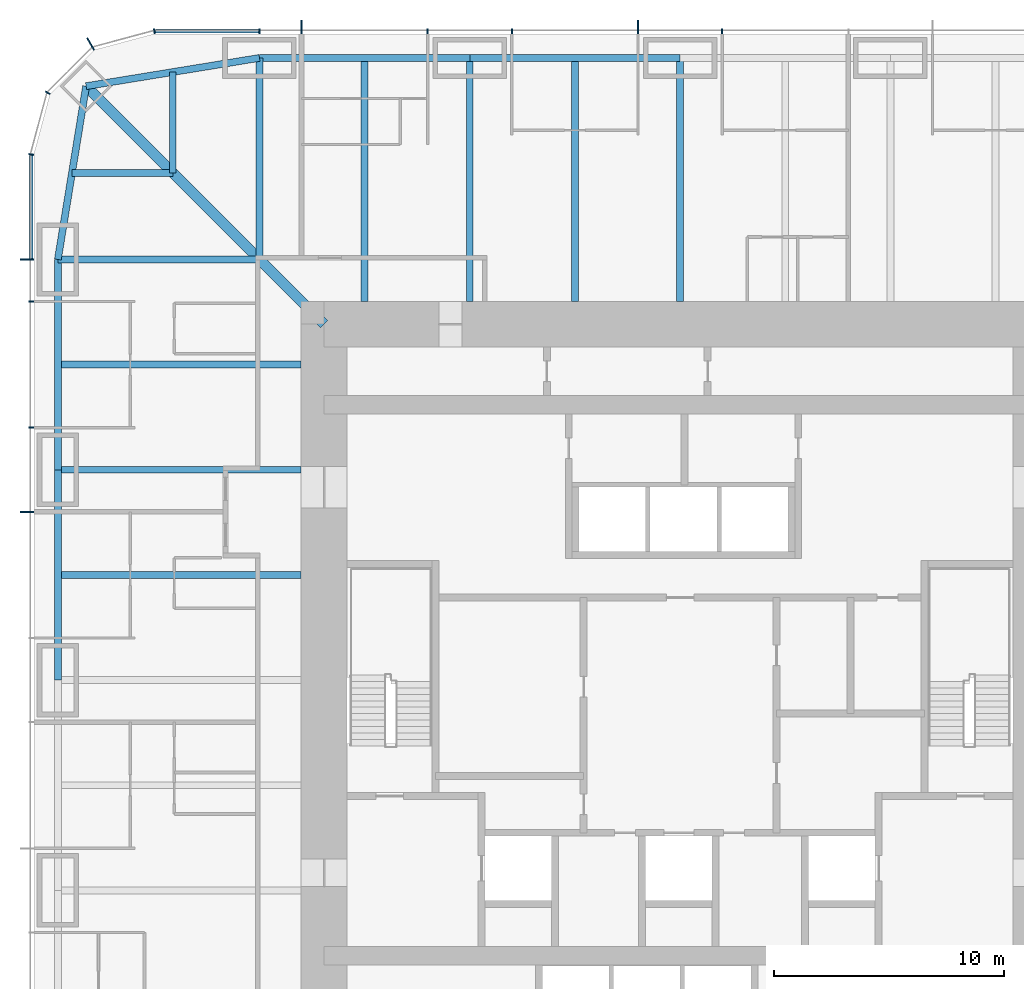
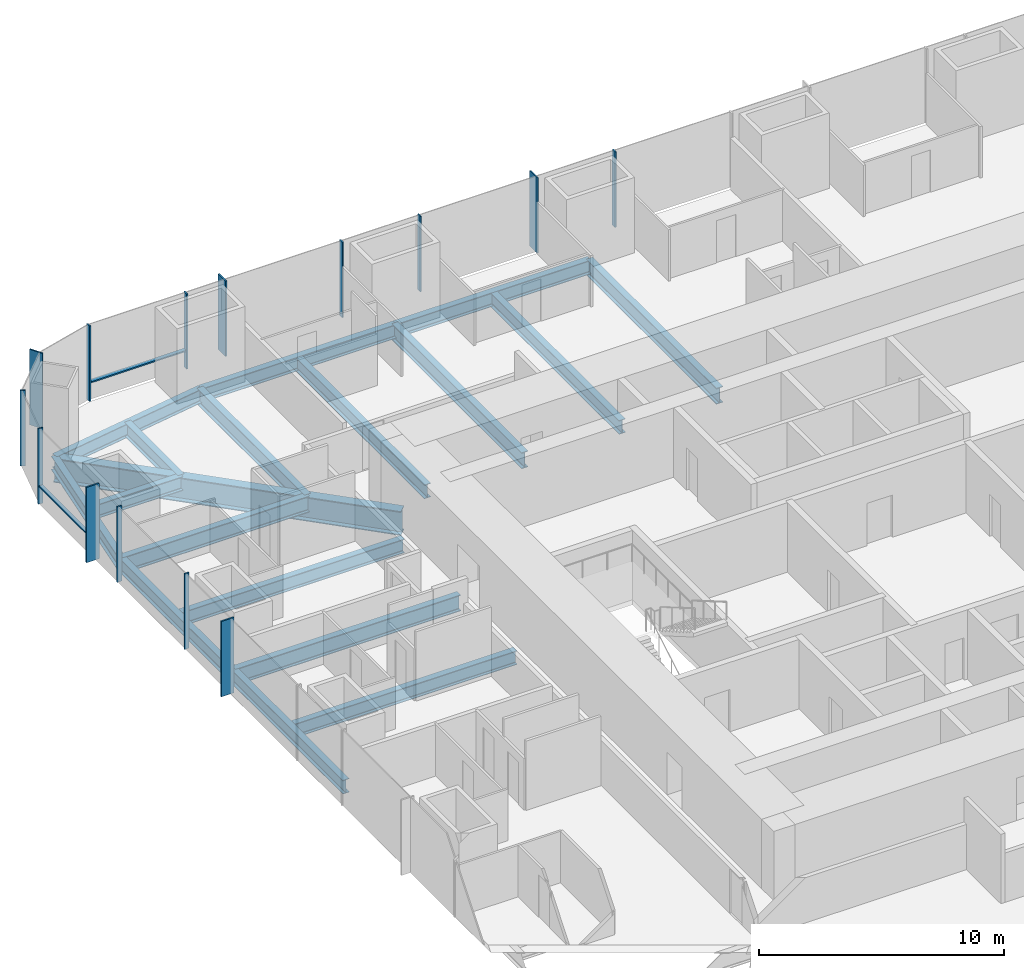
# One storey, part 4 of 12: 18 beams, 16 members, 3 elements without a shape of their own.
"""IFC4 building model written with IfcOpenShell, lengths in metres."""

import ifcopenshell
import ifcopenshell.guid

model = None  # the IFC model being written
_history = None  # IfcOwnerHistory: only IFC2X3 demands one
_inside = {}  # id of a spatial element -> (the spatial element, [elements in it])
_under = {}  # id of a project, library or spatial element -> (it, [spatial elements below it])
_declared = {}  # id of a project -> (the project, [libraries it declares])
_typed = {}  # id of a type object -> (the type object, [elements of that type])
_made_of = {}  # id of a material, layer set ... -> (it, [elements and type objects made of it])


def new_model(schema):
    """Start an empty IFC model of exactly this schema.

    Asked for "IFC4X3", IfcOpenShell would pick the latest addendum, in which some entities
    have other attributes; the version numbers below select the first issue.
    IFC2X3 requires an IfcOwnerHistory on every rooted entity: one is made here for all.
    """
    global model, _history
    if schema == "IFC4X3":
        model = ifcopenshell.file(schema_version=(4, 3, 0, 0))
    else:
        model = ifcopenshell.file(schema=schema)
    _inside.clear()
    _under.clear()
    _declared.clear()
    _typed.clear()
    _made_of.clear()
    _history = None
    if model.schema == "IFC2X3":
        org = make("IfcOrganization", Name="unknown")
        user = make(
            "IfcPersonAndOrganization",
            ThePerson=make("IfcPerson", FamilyName="unknown"),
            TheOrganization=org,
        )
        app = make(
            "IfcApplication",
            ApplicationDeveloper=org,
            Version="unknown",
            ApplicationFullName="unknown",
            ApplicationIdentifier="unknown",
        )
        _history = make(
            "IfcOwnerHistory",
            OwningUser=user,
            OwningApplication=app,
            ChangeAction="ADDED",
            CreationDate=0,
        )
    return model


def make(cls, **values):
    """One entity of the class cls with the attributes given. An attribute that is None is left unset."""
    return model.create_entity(
        cls, **{name: value for name, value in values.items() if value is not None}
    )


def rooted(cls, **values):
    """An entity with a GlobalId (a new one), such as an element, a storey or a relation."""
    return make(cls, GlobalId=ifcopenshell.guid.new(), OwnerHistory=_history, **values)


def si_unit(unit_type, name, prefix=None):
    """IfcSIUnit, for example si_unit("LENGTHUNIT", "METRE", prefix="MILLI")."""
    return make("IfcSIUnit", UnitType=unit_type, Prefix=prefix, Name=name)


def assignment(units):
    """IfcUnitAssignment: the units of a project."""
    return None if units is None else make("IfcUnitAssignment", Units=units)


def point(xyz):
    """IfcCartesianPoint."""
    return None if xyz is None else make("IfcCartesianPoint", Coordinates=xyz)


def direction(xyz):
    """IfcDirection."""
    return None if xyz is None else make("IfcDirection", DirectionRatios=xyz)


def frame(location, z_axis=None, x_axis=None):
    """IfcAxis2Placement3D, a coordinate frame: its origin and axes. An axis left out is left unset."""
    return make(
        "IfcAxis2Placement3D",
        Location=point(location),
        Axis=direction(z_axis),
        RefDirection=direction(x_axis),
    )


def frame_2d(location, x_axis=None):
    """IfcAxis2Placement2D, a coordinate frame in the plane: its origin and x axis."""
    return make(
        "IfcAxis2Placement2D", Location=point(location), RefDirection=direction(x_axis)
    )


def origin():
    """The frame at (0, 0, 0) with its axes left unset."""
    return frame((0.0, 0.0, 0.0))


def origin_2d():
    """The frame at (0, 0) in the plane with its x axis left unset."""
    return frame_2d((0.0, 0.0))


def place(relative_to, where):
    """IfcLocalPlacement: puts the frame where relative to a parent placement (None: the world)."""
    return make(
        "IfcLocalPlacement", PlacementRelTo=relative_to, RelativePlacement=where
    )


def context(
    kind, dimensions, precision=None, world=None, true_north=None, identifier=None
):
    """IfcGeometricRepresentationContext, for example the 3D "Model" context."""
    return make(
        "IfcGeometricRepresentationContext",
        ContextIdentifier=identifier,
        ContextType=kind,
        CoordinateSpaceDimension=dimensions,
        Precision=precision,
        WorldCoordinateSystem=world,
        TrueNorth=true_north,
    )


def subcontext(parent, identifier, kind, view, scale=None):
    """IfcGeometricRepresentationSubContext, for example "Body" below "Model"."""
    return make(
        "IfcGeometricRepresentationSubContext",
        ContextIdentifier=identifier,
        ContextType=kind,
        ParentContext=parent,
        TargetScale=scale,
        TargetView=view,
    )


def project(units=None, contexts=None):
    """IfcProject with its units and contexts."""
    return rooted(
        "IfcProject",
        Name="project",
        RepresentationContexts=contexts,
        UnitsInContext=assignment(units),
    )


def spatial(cls, under=None, at=None, **own):
    """A site, building, storey or space (cls), placed at a placement, below another one or the project."""
    s = rooted(cls, ObjectPlacement=at, **own)
    if under is not None:
        _under.setdefault(under.id(), (under, []))[1].append(s)
    return s


def profile(cls, at=None, kind="AREA", **sizes):
    """A parametric profile (cls). Its sizes go by their IFC names, for example OverallWidth=200.0."""
    return make(cls, ProfileType=kind, Position=at, **sizes)


def rectangle(**sizes):
    """IfcRectangleProfileDef."""
    return profile("IfcRectangleProfileDef", **sizes)


def i_section(**sizes):
    """IfcIShapeProfileDef."""
    return profile("IfcIShapeProfileDef", **sizes)


def extrude(swept, where, along, depth):
    """IfcExtrudedAreaSolid: the profile swept, set in the frame where, extruded along a direction by depth."""
    return make(
        "IfcExtrudedAreaSolid",
        SweptArea=swept,
        Position=where,
        ExtrudedDirection=direction(along),
        Depth=depth,
    )


def shape(context_of_items, identifier, shape_type, items):
    """IfcShapeRepresentation: the items that make up one representation, for example the "Body"."""
    return make(
        "IfcShapeRepresentation",
        ContextOfItems=context_of_items,
        RepresentationIdentifier=identifier,
        RepresentationType=shape_type,
        Items=items,
    )


def material(Name=None, Category=None):
    """IfcMaterial."""
    return make("IfcMaterial", Name=Name, Category=Category)


def material_profile(
    of_material, cross_section, Name=None, Category=None, Priority=None
):
    """IfcMaterialProfile: a cross section and its material."""
    return make(
        "IfcMaterialProfile",
        Name=Name,
        Material=of_material,
        Profile=cross_section,
        Priority=Priority,
        Category=Category,
    )


def profile_set(profiles, Name=None, composite=None):
    """IfcMaterialProfileSet."""
    return make(
        "IfcMaterialProfileSet",
        Name=Name,
        MaterialProfiles=profiles,
        CompositeProfile=composite,
    )


def made_of(thing, what):
    """Note that an element or type object is made of a material, layer set ...; save() writes the relation."""
    if what is not None:
        _made_of.setdefault(what.id(), (what, []))[1].append(thing)
    return thing


def type_object(cls, material=None, **own):
    """A type object (cls), such as IfcWallType, which elements share."""
    return made_of(rooted(cls, **own), material)


def element(
    cls,
    number,
    at=None,
    inside=None,
    cuts=None,
    type_object=None,
    material=None,
    context=None,
    identifier="Body",
    shape_type=None,
    held_by="IfcProductDefinitionShape",
    body=None,
    shapes=None,
    **own,
):
    """One element of the class cls, such as IfcWall. Its Tag is "e" and its number.

    at: its placement. inside: the storey or other place that contains it. cuts: it is an
    opening in that element (IfcRelVoidsElement). A single representation is given by context,
    identifier, shape_type and body (its items); several are given by shapes. held_by: the class
    of the entity that holds the representations. save() writes the other relations.
    """
    e = rooted(cls, Tag="e%d" % number, ObjectPlacement=at, **own)
    if body is not None:
        shapes = [shape(context, identifier, shape_type, body)]
    if shapes is not None:
        e.Representation = make(held_by, Representations=shapes)
    if inside is not None:
        _inside.setdefault(inside.id(), (inside, []))[1].append(e)
    if cuts is not None:
        rooted(
            "IfcRelVoidsElement", RelatingBuildingElement=cuts, RelatedOpeningElement=e
        )
    if type_object is not None:
        _typed.setdefault(type_object.id(), (type_object, []))[1].append(e)
    return made_of(e, material)


def aggregate(whole, parts):
    """IfcRelAggregates: a whole, such as a stair, and the parts it consists of."""
    return rooted("IfcRelAggregates", RelatingObject=whole, RelatedObjects=parts)


def save(model, path):
    """Write the relations noted so far, then the file.

    IfcRelAggregates (storeys below a building ...), IfcRelContainedInSpatialStructure (elements
    in a storey), IfcRelDefinesByType, IfcRelAssociatesMaterial and IfcRelDeclares: one each for
    every whole, place, type object, material and project.
    """
    for whole, parts in _under.values():
        aggregate(whole, parts)
    for where, things in _inside.values():
        rooted(
            "IfcRelContainedInSpatialStructure",
            RelatedElements=things,
            RelatingStructure=where,
        )
    for kind, things in _typed.values():
        rooted("IfcRelDefinesByType", RelatedObjects=things, RelatingType=kind)
    for what, things in _made_of.values():
        rooted("IfcRelAssociatesMaterial", RelatedObjects=things, RelatingMaterial=what)
    for by, libraries in _declared.values():
        rooted("IfcRelDeclares", RelatingContext=by, RelatedDefinitions=libraries)
    model.write(path)


model = new_model("IFC4")

# Units and contexts
model_context = context("Model", 3, precision=1e-05, world=origin(), true_north=direction((0.0, 1.0)))
body_context = subcontext(model_context, "Body", "Model", "MODEL_VIEW")
ifc_project = project(units=[si_unit("LENGTHUNIT", "METRE"), si_unit("AREAUNIT", "SQUARE_METRE"), si_unit("VOLUMEUNIT", "CUBIC_METRE"), si_unit("PLANEANGLEUNIT", "RADIAN"), si_unit("MASSUNIT", "GRAM", prefix="KILO")], contexts=[model_context])

# Site, building, storey
site_placement = place(None, origin())
site = spatial("IfcSite", under=ifc_project, at=site_placement, CompositionType="ELEMENT")
building_placement = place(site_placement, origin())
building = spatial("IfcBuilding", under=site, at=building_placement, Name="Khuree Lantern Residences", CompositionType="ELEMENT")
storey_placement = place(building_placement, frame((0.0, 0.0, 182.25)))
storey = spatial("IfcBuildingStorey", under=building, at=storey_placement, Name="L46", CompositionType="ELEMENT", Elevation=182.25)

# Beams
ifc_material_1 = material(Name="Steel S355", Category="steel")
ifc_material_profile_1 = material_profile(ifc_material_1, i_section(OverallWidth=0.300048828125, OverallDepth=0.68994140625, WebThickness=0.014404296875, FlangeThickness=0.027099609375, FilletRadius=0.027099609375, at=origin_2d()), Name="HE 700 A")
ifc_profile_set_1 = profile_set([ifc_material_profile_1], Name="Steel S355")
beam_type_1 = type_object("IfcBeamType", Name="B-25A SECONDARY BEAM HE 700 A", PredefinedType="BEAM", material=ifc_profile_set_1)
for number, where, z_axis, x_axis, name in (
    (1, (-13.739990234375, 27.10009765625, -0.594970703125), (0.0, -1.0, 0.0), (1.0, 0.0, 0.0), "Secondary beam N1"),
    (2, (-4.580078125, 27.10009765625, -0.594970703125), (0.0, -1.0, 0.0), (1.0, 0.0, 0.0), "Secondary beam N2"),
    (3, (-27.10009765625, 4.580078125, -0.594970703125), (1.0, 0.0, 0.0), (0.0, 1.0, 0.0), "Secondary beam W4"),
    (4, (-27.10009765625, 13.739990234375, -0.594970703125), (1.0, 0.0, 0.0), (0.0, 1.0, 0.0), "Secondary beam W5"),
):
    element("IfcBeam", number, at=place(storey_placement, frame(where, z_axis=z_axis, x_axis=x_axis)), inside=storey, type_object=beam_type_1, Name=name, PredefinedType="BEAM", context=body_context, shape_type="SweptSolid", body=[
        extrude(i_section(OverallWidth=0.300048828125, OverallDepth=0.68994140625, WebThickness=0.014404296875, FlangeThickness=0.027099609375, FilletRadius=0.027099609375, at=origin_2d()), origin(), (0.0, 0.0, 1.0), 10.60009765625),
    ])
for number, where, z_axis, x_axis, name in (
    (5, (-26.48486328125, 22.094970703125, -0.594970703125), (1.0, 0.0, 0.0), (0.0, 1.0, 0.0), "Secondary beam W6"),
    (6, (-22.094970703125, 26.48486328125, -0.594970703125), (0.0, -1.0, 0.0), (1.0, 0.0, 0.0), "Secondary beam N6"),
):
    element("IfcBeam", number, at=place(storey_placement, frame(where, z_axis=z_axis, x_axis=x_axis)), inside=storey, type_object=beam_type_1, Name=name, PredefinedType="BEAM", context=body_context, shape_type="SweptSolid", body=[
        extrude(i_section(OverallWidth=0.300048828125, OverallDepth=0.68994140625, WebThickness=0.014404296875, FlangeThickness=0.027099609375, FilletRadius=0.027099609375, at=origin_2d()), origin(), (0.0, 0.0, 1.0), 4.389892578125),
    ])
ifc_material_profile_2 = material_profile(ifc_material_1, i_section(OverallWidth=0.300048828125, OverallDepth=0.68994140625, WebThickness=0.014404296875, FlangeThickness=0.027099609375, FilletRadius=0.027099609375, at=origin_2d()), Name="HE 700 A")
ifc_profile_set_2 = profile_set([ifc_material_profile_2], Name="Steel S355")
beam_type_2 = type_object("IfcBeamType", Name="E-25 SPANDREL BEAM HE 700 A", PredefinedType="SPANDREL", material=ifc_profile_set_2)
beam_1_placement = place(storey_placement, frame((-18.320068359375, 27.10009765625, -0.594970703125), z_axis=(1.0, 0.0, 0.0), x_axis=(0.0, 1.0, 0.0)))
element("IfcBeam", 7, at=beam_1_placement, inside=storey, type_object=beam_type_2, Name="Spandrel beam N1", PredefinedType="SPANDREL", context=body_context, shape_type="SweptSolid", body=[
    extrude(i_section(OverallWidth=0.300048828125, OverallDepth=0.68994140625, WebThickness=0.014404296875, FlangeThickness=0.027099609375, FilletRadius=0.027099609375, at=origin_2d()), origin(), (0.0, 0.0, 1.0), 9.16015625),
])
for number, where, z_axis, x_axis, name in (
    (8, (-9.159912109375, 27.10009765625, -0.594970703125), (1.0, 0.0, 0.0), (0.0, 1.0, 0.0), "Spandrel beam N2"),
    (9, (-27.10009765625, 0.0, -0.594970703125), (0.0, 1.0, 0.0), (-1.0, 0.0, 0.0), "Spandrel beam W4"),
):
    element("IfcBeam", number, at=place(storey_placement, frame(where, z_axis=z_axis, x_axis=x_axis)), inside=storey, type_object=beam_type_2, Name=name, PredefinedType="SPANDREL", context=body_context, shape_type="SweptSolid", body=[
        extrude(i_section(OverallWidth=0.300048828125, OverallDepth=0.68994140625, WebThickness=0.014404296875, FlangeThickness=0.027099609375, FilletRadius=0.027099609375, at=origin_2d()), origin(), (0.0, 0.0, 1.0), 9.159912109375),
    ])
beam_2_placement = place(storey_placement, frame((-27.10009765625, 9.159912109375, -0.594970703125), z_axis=(0.0, 1.0, 0.0), x_axis=(-1.0, 0.0, 0.0)))
element("IfcBeam", 10, at=beam_2_placement, inside=storey, type_object=beam_type_2, Name="Spandrel beam W5", PredefinedType="SPANDREL", context=body_context, shape_type="SweptSolid", body=[
    extrude(i_section(OverallWidth=0.300048828125, OverallDepth=0.68994140625, WebThickness=0.014404296875, FlangeThickness=0.027099609375, FilletRadius=0.027099609375, at=origin_2d()), origin(), (0.0, 0.0, 1.0), 9.16015625),
])
for number, where, z_axis, x_axis, name in (
    (11, (-27.10009765625, 18.320068359375, -0.594970703125), (0.160826723833, 0.986982656839, 0.0), (-0.986982656839, 0.160826723833, 0.0), "Spandrel beam W6"),
    (12, (-25.869873046875, 25.869873046875, -0.594970703125), (0.986982656839, 0.160826723833, 0.0), (-0.160826723833, 0.986982656839, 0.0), "Spandrel beam N6"),
):
    element("IfcBeam", number, at=place(storey_placement, frame(where, z_axis=z_axis, x_axis=x_axis)), inside=storey, type_object=beam_type_2, Name=name, PredefinedType="SPANDREL", context=body_context, shape_type="SweptSolid", body=[
        extrude(i_section(OverallWidth=0.300048828125, OverallDepth=0.68994140625, WebThickness=0.014404296875, FlangeThickness=0.027099609375, FilletRadius=0.027099609375, at=origin_2d()), origin(), (0.0, 0.0, 1.0), 7.6494140625),
    ])

# Curtain wall, members
ifc_material_2 = material(Name="Bronze anodised aluminium", Category="aluminium")
curtain_wall_type_1 = type_object("IfcCurtainWallType", Name="CW-T1 TOWER FACE CURTAIN WALL", PredefinedType="USERDEFINED", material=ifc_material_2)
curtain_wall_1_placement = place(storey_placement, origin())
curtain_wall_1 = element("IfcCurtainWall", 13, at=curtain_wall_1_placement, inside=storey, type_object=curtain_wall_type_1, Name="L46 NORTH FACE CURTAIN WALL", ObjectType="Stick-built curtain wall", PredefinedType="USERDEFINED")
ifc_material_profile_3 = material_profile(ifc_material_2, rectangle(XDim=0.06494140625, YDim=0.60009765625, at=origin_2d()), Name="F1 65X600")
ifc_profile_set_3 = profile_set([ifc_material_profile_3], Name="Bronze anodised aluminium")
member_type_1 = type_object("IfcMemberType", Name="F1 BRONZE FIN MULLION TOWER 65X600", PredefinedType="MULLION", material=ifc_profile_set_3)
member_1_placement = place(storey_placement, frame((-1.83203125, 28.449951171875, 0.0), z_axis=(0.0, 0.0, 1.0), x_axis=(-1.0, 0.0, 0.0)))
member_1 = element("IfcMember", 14, at=member_1_placement, type_object=member_type_1, Name="L46 NORTH FACE FIN MULLION 24", PredefinedType="MULLION", context=body_context, shape_type="SweptSolid", body=[
    extrude(rectangle(XDim=0.06494140625, YDim=0.60009765625, at=origin_2d()), origin(), (0.0, 0.0, 1.0), 3.75),
])
member_2_placement = place(storey_placement, frame((-16.488037109375, 28.449951171875, 0.0), z_axis=(0.0, 0.0, 1.0), x_axis=(-1.0, 0.0, 0.0)))
member_2 = element("IfcMember", 15, at=member_2_placement, type_object=member_type_1, Name="L46 NORTH FACE FIN MULLION 27", PredefinedType="MULLION", context=body_context, shape_type="SweptSolid", body=[
    extrude(rectangle(XDim=0.06494140625, YDim=0.60009765625, at=origin_2d()), origin(), (0.0, 0.0, 1.0), 3.75),
])

# Curtain wall, member
curtain_wall_type_2 = type_object("IfcCurtainWallType", Name="CW-T2 TOWER CORNER CURTAIN WALL", PredefinedType="USERDEFINED", material=ifc_material_2)
curtain_wall_2_placement = place(storey_placement, origin())
curtain_wall_2 = element("IfcCurtainWall", 16, at=curtain_wall_2_placement, inside=storey, type_object=curtain_wall_type_2, Name="L46 NORTH-WEST CORNER CURTAIN WALL", ObjectType="Faceted corner curtain wall", PredefinedType="USERDEFINED")
member_3_placement = place(storey_placement, frame((-25.675048828125, 27.70654296875, 0.0), z_axis=(0.0, 0.0, 1.0), x_axis=(-0.866025388199, -0.500000026995, 0.0)))
member_3 = element("IfcMember", 17, at=member_3_placement, type_object=member_type_1, Name="L46 NORTH-WEST CORNER FIN MULLION 30", PredefinedType="MULLION", context=body_context, shape_type="SweptSolid", body=[
    extrude(rectangle(XDim=0.06494140625, YDim=0.60009765625, at=origin_2d()), origin(), (0.0, 0.0, 1.0), 3.75),
])

# Curtain wall, members
curtain_wall_3_placement = place(storey_placement, origin())
curtain_wall_3 = element("IfcCurtainWall", 18, at=curtain_wall_3_placement, inside=storey, type_object=curtain_wall_type_1, Name="L46 WEST FACE CURTAIN WALL", ObjectType="Stick-built curtain wall", PredefinedType="USERDEFINED")
member_4_placement = place(storey_placement, frame((-28.449951171875, 18.320068359375, 0.0), z_axis=(0.0, 0.0, 1.0), x_axis=(0.0, -1.0, 0.0)))
member_4 = element("IfcMember", 19, at=member_4_placement, type_object=member_type_1, Name="L46 WEST FACE FIN MULLION 33", PredefinedType="MULLION", context=body_context, shape_type="SweptSolid", body=[
    extrude(rectangle(XDim=0.06494140625, YDim=0.60009765625, at=origin_2d()), origin(), (0.0, 0.0, 1.0), 3.75),
])
member_5_placement = place(storey_placement, frame((-28.449951171875, 7.327880859375, 0.0), z_axis=(0.0, 0.0, 1.0), x_axis=(0.0, -1.0, 0.0)))
member_5 = element("IfcMember", 20, at=member_5_placement, type_object=member_type_1, Name="L46 WEST FACE FIN MULLION 36", PredefinedType="MULLION", context=body_context, shape_type="SweptSolid", body=[
    extrude(rectangle(XDim=0.06494140625, YDim=0.60009765625, at=origin_2d()), origin(), (0.0, 0.0, 1.0), 3.75),
])

# Beams
ifc_material_profile_4 = material_profile(ifc_material_1, i_section(OverallWidth=0.300048828125, OverallDepth=0.800048828125, WebThickness=0.017578125, FlangeThickness=0.032958984375, FilletRadius=0.030029296875, at=origin_2d()), Name="HE 800 B")
ifc_profile_set_4 = profile_set([ifc_material_profile_4], Name="Steel S355")
beam_type_3 = type_object("IfcBeamType", Name="G-25A GIRDER HE 800 B", PredefinedType="BEAM", material=ifc_profile_set_4)
beam_3_placement = place(storey_placement, frame((-18.320068359375, 27.10009765625, -0.64990234375), z_axis=(0.0, -1.0, 0.0), x_axis=(1.0, 0.0, 0.0)))
element("IfcBeam", 21, at=beam_3_placement, inside=storey, type_object=beam_type_3, Name="Girder N1", PredefinedType="BEAM", context=body_context, shape_type="SweptSolid", body=[
    extrude(i_section(OverallWidth=0.300048828125, OverallDepth=0.800048828125, WebThickness=0.017578125, FlangeThickness=0.032958984375, FilletRadius=0.030029296875, at=origin_2d()), origin(), (0.0, 0.0, 1.0), 8.780029296875),
])
for number, where, z_axis, x_axis, name in (
    (22, (-9.159912109375, 27.10009765625, -0.64990234375), (0.0, -1.0, 0.0), (1.0, 0.0, 0.0), "Girder N2"),
    (23, (0.0, 27.10009765625, -0.64990234375), (0.0, -1.0, 0.0), (1.0, 0.0, 0.0), "Girder N3"),
    (24, (-27.10009765625, 9.159912109375, -0.64990234375), (1.0, 0.0, 0.0), (0.0, 1.0, 0.0), "Girder W4"),
):
    element("IfcBeam", number, at=place(storey_placement, frame(where, z_axis=z_axis, x_axis=x_axis)), inside=storey, type_object=beam_type_3, Name=name, PredefinedType="BEAM", context=body_context, shape_type="SweptSolid", body=[
        extrude(i_section(OverallWidth=0.300048828125, OverallDepth=0.800048828125, WebThickness=0.017578125, FlangeThickness=0.032958984375, FilletRadius=0.030029296875, at=origin_2d()), origin(), (0.0, 0.0, 1.0), 10.60009765625),
    ])
beam_4_placement = place(storey_placement, frame((-27.10009765625, 18.320068359375, -0.64990234375), z_axis=(1.0, 0.0, 0.0), x_axis=(0.0, 1.0, 0.0)))
element("IfcBeam", 25, at=beam_4_placement, inside=storey, type_object=beam_type_3, Name="Girder W5", PredefinedType="BEAM", context=body_context, shape_type="SweptSolid", body=[
    extrude(i_section(OverallWidth=0.300048828125, OverallDepth=0.800048828125, WebThickness=0.017578125, FlangeThickness=0.032958984375, FilletRadius=0.030029296875, at=origin_2d()), origin(), (0.0, 0.0, 1.0), 8.780029296875),
])
ifc_material_profile_5 = material_profile(ifc_material_1, i_section(OverallWidth=0.449951171875, OverallDepth=1.199951171875, WebThickness=0.02490234375, FlangeThickness=0.044921875, at=origin_2d()), Name="WELDED I 1200X450X25X45")
ifc_profile_set_5 = profile_set([ifc_material_profile_5], Name="Steel S355")
beam_type_4 = type_object("IfcBeamType", Name="GD-25 CORNER GIRDER WELDED I 1200X450X25X45", PredefinedType="BEAM", material=ifc_profile_set_5)
beam_5_placement = place(storey_placement, frame((-25.869873046875, 25.869873046875, -0.85009765625), z_axis=(0.707106781187, -0.707106781187, 0.0), x_axis=(0.707106781187, 0.707106781187, 0.0)))
element("IfcBeam", 26, at=beam_5_placement, inside=storey, type_object=beam_type_4, Name="Corner girder NW", PredefinedType="BEAM", context=body_context, shape_type="SweptSolid", body=[
    extrude(i_section(OverallWidth=0.449951171875, OverallDepth=1.199951171875, WebThickness=0.02490234375, FlangeThickness=0.044921875, at=origin_2d()), origin(), (0.0, 0.0, 1.0), 14.665283203125),
])

# Member
ifc_material_profile_6 = material_profile(ifc_material_2, rectangle(XDim=0.06494140625, YDim=0.219970703125, at=origin_2d()), Name="M1 65X220")
ifc_profile_set_6 = profile_set([ifc_material_profile_6], Name="Bronze anodised aluminium")
member_type_2 = type_object("IfcMemberType", Name="M1 BRONZE MULLION TOWER 65X220", PredefinedType="MULLION", material=ifc_profile_set_6)
member_6_placement = place(storey_placement, frame((1.83203125, 28.260009765625, 0.0), z_axis=(0.0, 0.0, 1.0), x_axis=(-1.0, 0.0, 0.0)))
member_6 = element("IfcMember", 27, at=member_6_placement, type_object=member_type_2, Name="L46 NORTH FACE MULLION 23", PredefinedType="MULLION", context=body_context, shape_type="SweptSolid", body=[
    extrude(rectangle(XDim=0.06494140625, YDim=0.219970703125, at=origin_2d()), origin(), (0.0, 0.0, 1.0), 3.75),
])

member_7_placement = place(storey_placement, frame((-7.327880859375, 28.260009765625, 0.0), z_axis=(0.0, 0.0, 1.0), x_axis=(-1.0, 0.0, 0.0)))
member_7 = element("IfcMember", 28, at=member_7_placement, type_object=member_type_2, Name="L46 NORTH FACE MULLION 25", PredefinedType="MULLION", context=body_context, shape_type="SweptSolid", body=[
    extrude(rectangle(XDim=0.06494140625, YDim=0.219970703125, at=origin_2d()), origin(), (0.0, 0.0, 1.0), 3.75),
])

member_8_placement = place(storey_placement, frame((-10.991943359375, 28.260009765625, 0.0), z_axis=(0.0, 0.0, 1.0), x_axis=(-1.0, 0.0, 0.0)))
member_8 = element("IfcMember", 29, at=member_8_placement, type_object=member_type_2, Name="L46 NORTH FACE MULLION 26", PredefinedType="MULLION", context=body_context, shape_type="SweptSolid", body=[
    extrude(rectangle(XDim=0.06494140625, YDim=0.219970703125, at=origin_2d()), origin(), (0.0, 0.0, 1.0), 3.75),
])

member_9_placement = place(storey_placement, frame((-18.320068359375, 28.260009765625, 0.0), z_axis=(0.0, 0.0, 1.0), x_axis=(-1.0, 0.0, 0.0)))
member_9 = element("IfcMember", 30, at=member_9_placement, type_object=member_type_2, Name="L46 NORTH FACE MULLION 28", PredefinedType="MULLION", context=body_context, shape_type="SweptSolid", body=[
    extrude(rectangle(XDim=0.06494140625, YDim=0.219970703125, at=origin_2d()), origin(), (0.0, 0.0, 1.0), 3.75),
])

member_10_placement = place(storey_placement, frame((-22.89501953125, 28.26171875, 0.0), z_axis=(0.0, 0.0, 1.0), x_axis=(-0.991444857305, -0.130526223125, 0.0)))
member_10 = element("IfcMember", 31, at=member_10_placement, type_object=member_type_2, Name="L46 NORTH-WEST CORNER MULLION 29", PredefinedType="MULLION", context=body_context, shape_type="SweptSolid", body=[
    extrude(rectangle(XDim=0.06494140625, YDim=0.219970703125, at=origin_2d()), origin(), (0.0, 0.0, 1.0), 3.75),
])

member_11_placement = place(storey_placement, frame((-27.5419921875, 25.580078125, 0.0), z_axis=(0.0, 0.0, 1.0), x_axis=(-0.500000026995, -0.866025388199, 0.0)))
member_11 = element("IfcMember", 32, at=member_11_placement, type_object=member_type_2, Name="L46 NORTH-WEST CORNER MULLION 31", PredefinedType="MULLION", context=body_context, shape_type="SweptSolid", body=[
    extrude(rectangle(XDim=0.06494140625, YDim=0.219970703125, at=origin_2d()), origin(), (0.0, 0.0, 1.0), 3.75),
])

aggregate(curtain_wall_2, [member_10, member_3, member_11])

member_12_placement = place(storey_placement, frame((-28.26171875, 22.89501953125, 0.0), z_axis=(0.0, 0.0, 1.0), x_axis=(-0.130526223125, -0.991444857305, 0.0)))
member_12 = element("IfcMember", 33, at=member_12_placement, type_object=member_type_2, Name="L46 WEST FACE MULLION 32", PredefinedType="MULLION", context=body_context, shape_type="SweptSolid", body=[
    extrude(rectangle(XDim=0.06494140625, YDim=0.219970703125, at=origin_2d()), origin(), (0.0, 0.0, 1.0), 3.75),
])

member_13_placement = place(storey_placement, frame((-28.260009765625, 16.488037109375, 0.0), z_axis=(0.0, 0.0, 1.0), x_axis=(0.0, -1.0, 0.0)))
member_13 = element("IfcMember", 34, at=member_13_placement, type_object=member_type_2, Name="L46 WEST FACE MULLION 34", PredefinedType="MULLION", context=body_context, shape_type="SweptSolid", body=[
    extrude(rectangle(XDim=0.06494140625, YDim=0.219970703125, at=origin_2d()), origin(), (0.0, 0.0, 1.0), 3.75),
])

member_14_placement = place(storey_placement, frame((-28.260009765625, 10.991943359375, 0.0), z_axis=(0.0, 0.0, 1.0), x_axis=(0.0, -1.0, 0.0)))
member_14 = element("IfcMember", 35, at=member_14_placement, type_object=member_type_2, Name="L46 WEST FACE MULLION 35", PredefinedType="MULLION", context=body_context, shape_type="SweptSolid", body=[
    extrude(rectangle(XDim=0.06494140625, YDim=0.219970703125, at=origin_2d()), origin(), (0.0, 0.0, 1.0), 3.75),
])

ifc_material_profile_7 = material_profile(ifc_material_2, rectangle(XDim=0.179931640625, YDim=0.06494140625, at=origin_2d()), Name="T1 180X65")
ifc_profile_set_7 = profile_set([ifc_material_profile_7], Name="Bronze anodised aluminium")
member_type_3 = type_object("IfcMemberType", Name="TRANSOM T1 TOWER 180X65", PredefinedType="USERDEFINED", material=ifc_profile_set_7)
member_15_placement = place(storey_placement, frame((-18.3525390625, 28.27001953125, 0.89990234375), z_axis=(-1.0, 0.0, 0.0), x_axis=(0.0, -1.0, 0.0)))
member_15 = element("IfcMember", 36, at=member_15_placement, type_object=member_type_3, Name="L46 NORTH FACE TRANSOM 28.1", ObjectType="Transom", PredefinedType="USERDEFINED", context=body_context, shape_type="SweptSolid", body=[
    extrude(rectangle(XDim=0.179931640625, YDim=0.06494140625, at=origin_2d()), origin(), (0.0, 0.0, 1.0), 4.498779296875),
])

aggregate(curtain_wall_1, [member_6, member_1, member_7, member_8, member_2, member_9, member_15])

member_16_placement = place(storey_placement, frame((-28.27001953125, 22.851318359375, 0.89990234375), z_axis=(0.0, -1.0, 0.0), x_axis=(1.0, 0.0, 0.0)))
member_16 = element("IfcMember", 37, at=member_16_placement, type_object=member_type_3, Name="L46 WEST FACE TRANSOM 32.1", ObjectType="Transom", PredefinedType="USERDEFINED", context=body_context, shape_type="SweptSolid", body=[
    extrude(rectangle(XDim=0.179931640625, YDim=0.06494140625, at=origin_2d()), origin(), (0.0, 0.0, 1.0), 4.498779296875),
])

aggregate(curtain_wall_3, [member_12, member_4, member_13, member_14, member_5, member_16])

save(model, "model.ifc")
